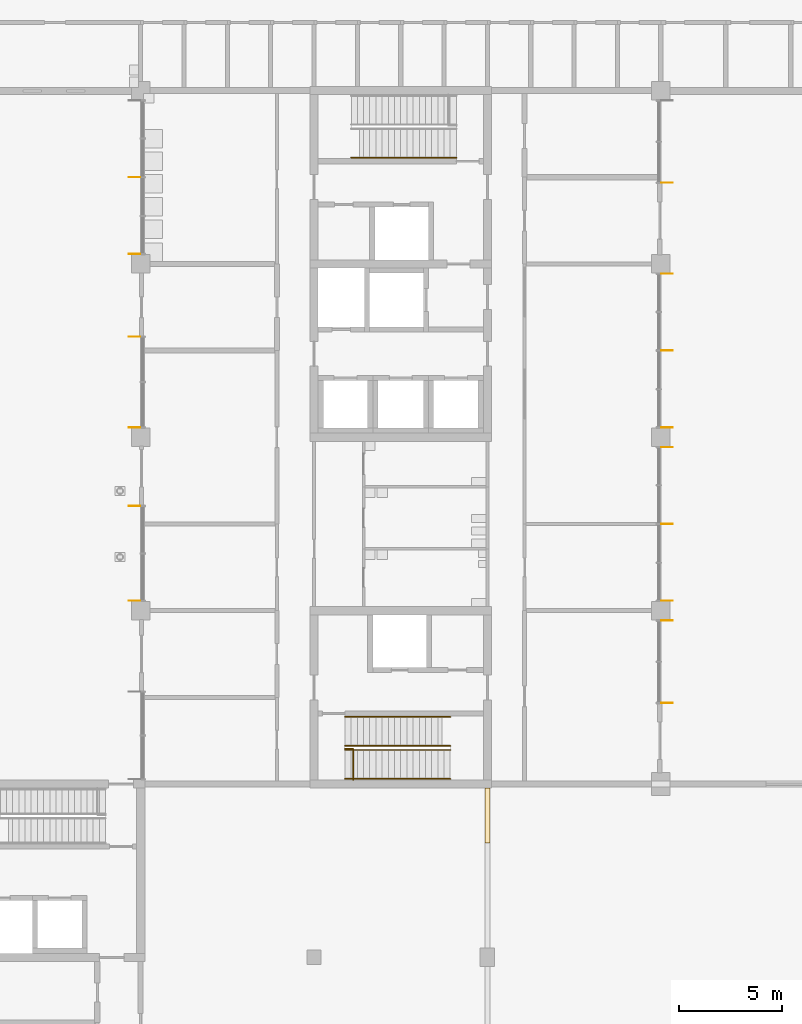
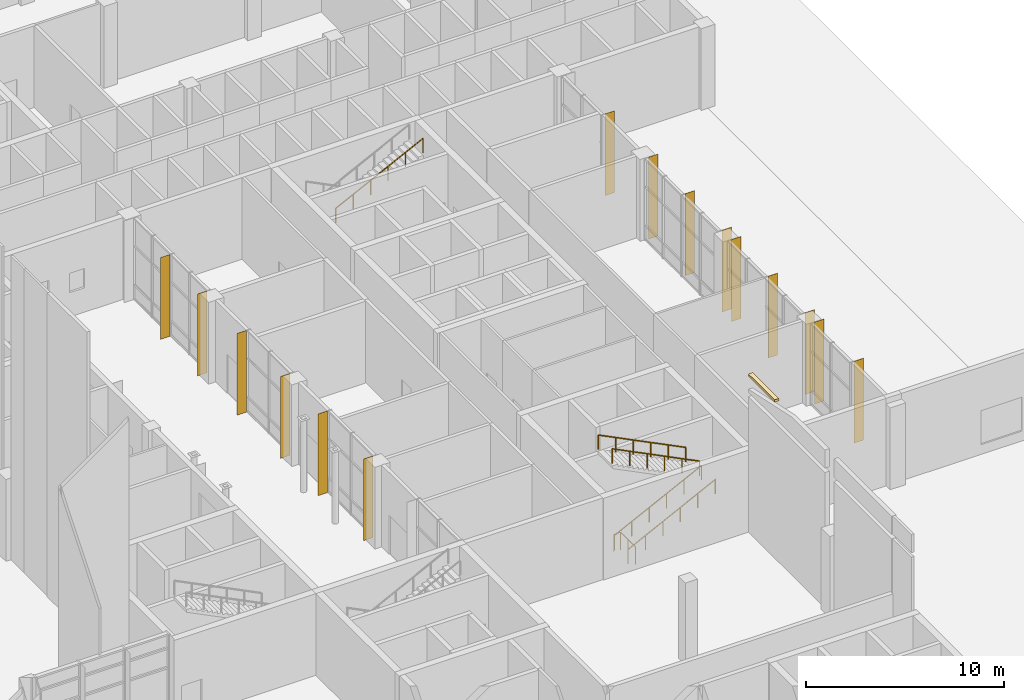
# One storey, part 65 of 76: 15 shading devices, 6 railings, 1 covering.
"""IFC4 building model written with IfcOpenShell, lengths in metres."""

from ifc_helpers import new_model, si_unit, direction, frame, frame_2d, origin, origin_2d, place, context, subcontext, project, spatial, rectangle, circle, extrude, material, layer, layer_set, type_object, element, save


model = new_model("IFC4")

# Units and contexts
model_context = context("Model", 3, precision=1e-05, world=origin(), true_north=direction((0.0, 1.0)))
body_context = subcontext(model_context, "Body", "Model", "MODEL_VIEW")
ifc_project = project(units=[si_unit("LENGTHUNIT", "METRE"), si_unit("AREAUNIT", "SQUARE_METRE"), si_unit("VOLUMEUNIT", "CUBIC_METRE"), si_unit("PLANEANGLEUNIT", "RADIAN"), si_unit("MASSUNIT", "GRAM", prefix="KILO")], contexts=[model_context])

# Site, building, storey
site_placement = place(None, origin())
site = spatial("IfcSite", under=ifc_project, at=site_placement, CompositionType="ELEMENT")
building_placement = place(site_placement, origin())
building = spatial("IfcBuilding", under=site, at=building_placement, Name="Hlaing Beacon Police Headquarters", CompositionType="ELEMENT")
storey_placement = place(building_placement, origin())
storey = spatial("IfcBuildingStorey", under=building, at=storey_placement, Name="L00", CompositionType="ELEMENT", Elevation=0.0)

# Shading devices
ifc_material_1 = material(Name="Aluminium 6063-T5 anodised", Category="aluminium")
ifc_layer_1 = layer(ifc_material_1, 0.011962890625)
ifc_layer_set_1 = layer_set([ifc_layer_1], Name="Aluminium 6063-T5 anodised")
shading_device_type = type_object("IfcShadingDeviceType", Name="Aluminium fin 12x550", PredefinedType="JALOUSIE", material=ifc_layer_set_1)
for number, where, z_axis, x_axis, name in (
    (1, (126.300048828125, 37.530029296875, 0.0), (0.0, 0.0, 1.0), (0.0, 1.0, 0.0), "Fin L00 E012.0"),
    (2, (126.300048828125, 41.52001953125, 0.0), (0.0, 0.0, 1.0), (0.0, 1.0, 0.0), "Fin L00 E012.2"),
    (3, (126.300048828125, 42.47998046875, 0.0), (0.0, 0.0, 1.0), (0.0, 1.0, 0.0), "Fin L00 E013.0"),
    (4, (126.300048828125, 46.199951171875, 0.0), (0.0, 0.0, 1.0), (0.0, 1.0, 0.0), "Fin L00 E013.2"),
    (5, (126.300048828125, 49.919921875, 0.0), (0.0, 0.0, 1.0), (0.0, 1.0, 0.0), "Fin L00 E013.4"),
    (6, (126.300048828125, 50.8798828125, 0.0), (0.0, 0.0, 1.0), (0.0, 1.0, 0.0), "Fin L00 E014.0"),
    (7, (126.300048828125, 54.60009765625, 0.0), (0.0, 0.0, 1.0), (0.0, 1.0, 0.0), "Fin L00 E014.2"),
    (8, (126.300048828125, 58.320068359375, 0.0), (0.0, 0.0, 1.0), (0.0, 1.0, 0.0), "Fin L00 E014.4"),
    (9, (126.300048828125, 62.72998046875, 0.0), (0.0, 0.0, 1.0), (0.0, 1.0, 0.0), "Fin L00 E015.0"),
    (10, (100.5, 63.0, 0.0), (0.0, 0.0, 1.0), (0.0, -1.0, 0.0), "Fin L00 W016.2"),
    (11, (100.5, 59.280029296875, 0.0), (0.0, 0.0, 1.0), (0.0, -1.0, 0.0), "Fin L00 W016.4"),
    (12, (100.5, 55.27001953125, 0.0), (0.0, 0.0, 1.0), (0.0, -1.0, 0.0), "Fin L00 W017.0"),
    (13, (100.5, 50.8798828125, 0.0), (0.0, 0.0, 1.0), (0.0, -1.0, 0.0), "Fin L00 W017.2"),
    (14, (100.5, 47.070068359375, 0.0), (0.0, 0.0, 1.0), (0.0, -1.0, 0.0), "Fin L00 W018.0"),
    (15, (100.5, 42.47998046875, 0.0), (0.0, 0.0, 1.0), (0.0, -1.0, 0.0), "Fin L00 W018.2"),
):
    element("IfcShadingDevice", number, at=place(storey_placement, frame(where, z_axis=z_axis, x_axis=x_axis)), inside=storey, type_object=shading_device_type, Name=name, PredefinedType="JALOUSIE", context=body_context, shape_type="SweptSolid", body=[
        extrude(rectangle(XDim=0.011962890625, YDim=0.550048828125, at=origin_2d()), origin(), (0.0, 0.0, 1.0), 5.050048828125),
    ])

# Covering
ifc_material_2 = material(Name="Concrete blockwork 7.5 N/mm2", Category="masonry")
ifc_layer_2 = layer(ifc_material_2, 0.25)
ifc_layer_set_2 = layer_set([ifc_layer_2], Name="Concrete blockwork 7.5 N/mm2")
covering_type = type_object("IfcCoveringType", Name="Closure panel, Armoury wall EI 120 250", PredefinedType="CLADDING", material=ifc_layer_set_2)
covering_placement = place(storey_placement, frame((117.60009765625, 30.751220703125, 9.6259765625), z_axis=(0.0, 0.0, 1.0), x_axis=(0.0, 1.0, 0.0)))
element("IfcCovering", 16, at=covering_placement, inside=storey, type_object=covering_type, Name="Closure panel Armoury wall EI 120 250", PredefinedType="CLADDING", context=body_context, shape_type="SweptSolid", body=[
    extrude(rectangle(XDim=2.648681640625, YDim=0.25, at=frame_2d((1.32421875, 0.0))), origin(), (0.0, 0.0, 1.0), 0.14404296875),
])

# Railings
ifc_material_3 = material(Name="Stainless steel", Category="steel")
railing_type_1 = type_object("IfcRailingType", Name="Stair guard 1100", PredefinedType="GUARDRAIL", material=ifc_material_3)
railing_1_placement = place(storey_placement, frame((111.10009765625, 33.800048828125, 0.0)))
element("IfcRailing", 17, at=railing_1_placement, inside=storey, type_object=railing_type_1, Name="Guard ST-L", PredefinedType="GUARDRAIL", context=body_context, shape_type="SweptSolid", body=[
    extrude(circle(Radius=0.02392578125, at=origin_2d()), frame((0.0, 0.0, 1.076171875), z_axis=(0.0, 1.0, 0.0), x_axis=(-1.0, 0.0, 0.0)), (0.0, 0.0, 1.0), 1.5),
    extrude(circle(Radius=0.02392578125, at=origin_2d()), frame((0.0, 1.5, 1.076171875), z_axis=(-1.0, 0.0, 0.0), x_axis=(0.0, -1.0, 0.0)), (0.0, 0.0, 1.0), 0.400146484375),
    extrude(circle(Radius=0.02099609375, at=origin_2d()), origin(), (0.0, 0.0, 1.0), 1.052001953125),
    extrude(circle(Radius=0.02099609375, at=origin_2d()), frame((0.0, 0.75, 0.0)), (0.0, 0.0, 1.0), 1.052001953125),
    extrude(circle(Radius=0.02099609375, at=origin_2d()), frame((0.0, 1.5, 0.0)), (0.0, 0.0, 1.0), 1.052001953125),
    extrude(circle(Radius=0.02099609375, at=origin_2d()), frame((-0.400146484375, 1.5, 0.0)), (0.0, 0.0, 1.0), 1.052001953125),
])
ifc_material_4 = material(Name="Stainless steel", Category="steel")
railing_type_2 = type_object("IfcRailingType", Name="Stair handrail 900", PredefinedType="HANDRAIL", material=ifc_material_4)
railing_2_placement = place(storey_placement, frame((111.0, 63.949951171875, 2.85009765625)))
element("IfcRailing", 18, at=railing_2_placement, inside=storey, type_object=railing_type_2, Name="Handrail ST-M", PredefinedType="HANDRAIL", context=body_context, shape_type="SweptSolid", body=[
    extrude(circle(Radius=0.02392578125, at=origin_2d()), frame((0.0, 0.0, 0.8759765625), z_axis=(0.89444431709, 0.0, 0.44717934168), x_axis=(0.0, 1.0, 0.0)), (0.0, 0.0, 1.0), 5.701904296875),
    extrude(circle(Radius=0.02099609375, at=origin_2d()), origin(), (0.0, 0.0, 1.0), 0.851806640625),
    extrude(circle(Radius=0.02099609375, at=origin_2d()), frame((1.02001953125, 0.0, 0.510009765625)), (0.0, 0.0, 1.0), 0.851806640625),
    extrude(circle(Radius=0.02099609375, at=origin_2d()), frame((2.0400390625, 0.0, 1.02001953125)), (0.0, 0.0, 1.0), 0.851806640625),
    extrude(circle(Radius=0.02099609375, at=origin_2d()), frame((3.06005859375, 0.0, 1.52978515625)), (0.0, 0.0, 1.0), 0.851806640625),
    extrude(circle(Radius=0.02099609375, at=origin_2d()), frame((4.080078125, 0.0, 2.039794921875)), (0.0, 0.0, 1.0), 0.851806640625),
    extrude(circle(Radius=0.02099609375, at=origin_2d()), frame((5.10009765625, 0.0, 2.5498046875)), (0.0, 0.0, 1.0), 0.851806640625),
])
for number, where, name in (
    (19, (110.699951171875, 33.85009765625, 0.14990234375), "Handrail ST-L"),
    (20, (110.699951171875, 35.25, 0.14990234375), "Handrail ST-L"),
):
    element("IfcRailing", number, at=place(storey_placement, frame(where)), inside=storey, type_object=railing_type_2, Name=name, PredefinedType="HANDRAIL", context=body_context, shape_type="SweptSolid", body=[
        extrude(circle(Radius=0.02392578125, at=origin_2d()), frame((0.0, 0.0, 0.8759765625), z_axis=(0.894427191, 0.0, 0.4472135955), x_axis=(0.0, 1.0, 0.0)), (0.0, 0.0, 1.0), 5.7021484375),
        extrude(circle(Radius=0.02099609375, at=origin_2d()), origin(), (0.0, 0.0, 1.0), 0.851806640625),
        extrude(circle(Radius=0.02099609375, at=origin_2d()), frame((1.02001953125, 0.0, 0.510009765625)), (0.0, 0.0, 1.0), 0.851806640625),
        extrude(circle(Radius=0.02099609375, at=origin_2d()), frame((2.0400390625, 0.0, 1.02001953125)), (0.0, 0.0, 1.0), 0.851806640625),
        extrude(circle(Radius=0.02099609375, at=origin_2d()), frame((3.06005859375, 0.0, 1.530029296875)), (0.0, 0.0, 1.0), 0.851806640625),
        extrude(circle(Radius=0.02099609375, at=origin_2d()), frame((4.080078125, 0.0, 2.0400390625)), (0.0, 0.0, 1.0), 0.851806640625),
        extrude(circle(Radius=0.02099609375, at=origin_2d()), frame((5.10009765625, 0.0, 2.550048828125)), (0.0, 0.0, 1.0), 0.851806640625),
    ])
for number, where, name in (
    (21, (115.800048828125, 35.449951171875, 2.85009765625), "Handrail ST-L"),
    (22, (115.800048828125, 36.85009765625, 2.85009765625), "Handrail ST-L"),
):
    element("IfcRailing", number, at=place(storey_placement, frame(where)), inside=storey, type_object=railing_type_2, Name=name, PredefinedType="HANDRAIL", context=body_context, shape_type="SweptSolid", body=[
        extrude(circle(Radius=0.02392578125, at=origin_2d()), frame((0.0, 0.0, 0.8759765625), z_axis=(-0.89444431709, 0.0, 0.44717934168), x_axis=(0.0, -1.0, 0.0)), (0.0, 0.0, 1.0), 5.701904296875),
        extrude(circle(Radius=0.02099609375, at=origin_2d()), origin(), (0.0, 0.0, 1.0), 0.851806640625),
        extrude(circle(Radius=0.02099609375, at=origin_2d()), frame((-1.02001953125, 0.0, 0.510009765625)), (0.0, 0.0, 1.0), 0.851806640625),
        extrude(circle(Radius=0.02099609375, at=origin_2d()), frame((-2.0400390625, 0.0, 1.02001953125)), (0.0, 0.0, 1.0), 0.851806640625),
        extrude(circle(Radius=0.02099609375, at=origin_2d()), frame((-3.06005859375, 0.0, 1.52978515625)), (0.0, 0.0, 1.0), 0.851806640625),
        extrude(circle(Radius=0.02099609375, at=origin_2d()), frame((-4.080078125, 0.0, 2.039794921875)), (0.0, 0.0, 1.0), 0.851806640625),
        extrude(circle(Radius=0.02099609375, at=origin_2d()), frame((-5.10009765625, 0.0, 2.5498046875)), (0.0, 0.0, 1.0), 0.851806640625),
    ])

save(model, "model.ifc")
